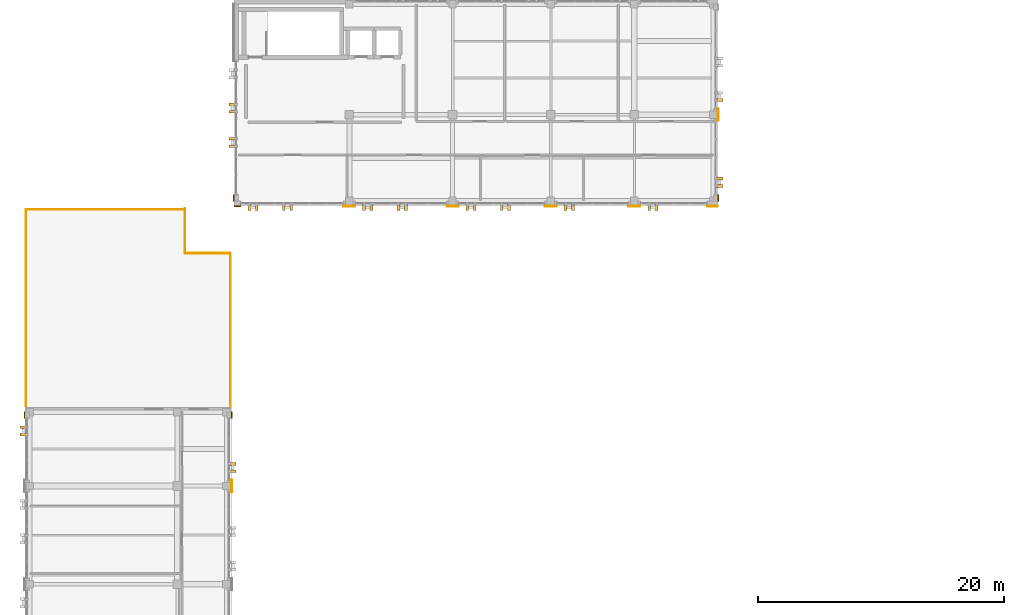
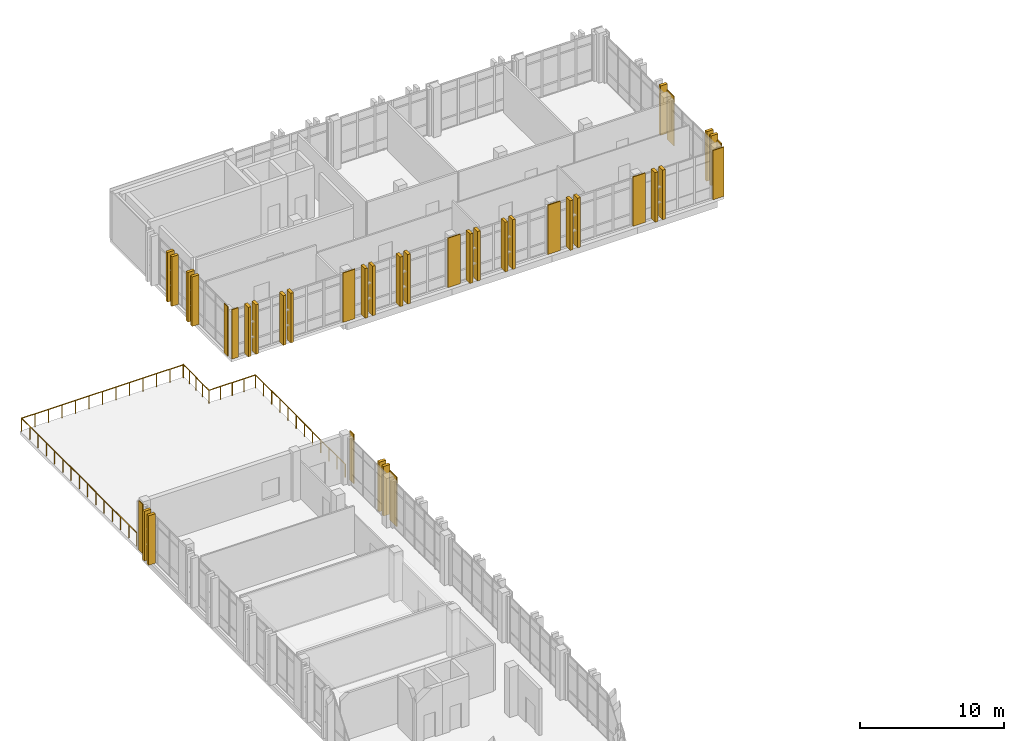
# One storey, part 70 of 77: 39 coverings, 5 railings.
"""IFC4 building model written with IfcOpenShell, lengths in metres."""

from ifc_helpers import new_model, si_unit, direction, frame, origin, origin_2d, place, context, subcontext, project, spatial, rectangle, circle, extrude, material, layer, layer_set, type_object, element, save


model = new_model("IFC4")

# Units and contexts
model_context = context("Model", 3, precision=1e-05, world=origin(), true_north=direction((0.0, 1.0)))
body_context = subcontext(model_context, "Body", "Model", "MODEL_VIEW")
ifc_project = project(units=[si_unit("LENGTHUNIT", "METRE"), si_unit("AREAUNIT", "SQUARE_METRE"), si_unit("VOLUMEUNIT", "CUBIC_METRE"), si_unit("PLANEANGLEUNIT", "RADIAN"), si_unit("MASSUNIT", "GRAM", prefix="KILO")], contexts=[model_context])

# Site, building, storey
site_placement = place(None, origin())
site = spatial("IfcSite", under=ifc_project, at=site_placement, CompositionType="ELEMENT")
building_placement = place(site_placement, origin())
building = spatial("IfcBuilding", under=site, at=building_placement, Name="Qalavern Law Courts", CompositionType="ELEMENT")
storey_placement = place(building_placement, frame((0.0, 0.0, 27.0)))
storey = spatial("IfcBuildingStorey", under=building, at=storey_placement, Name="L06", CompositionType="ELEMENT", Elevation=27.0)

# Railings
ifc_material_1 = material(Name="Steel S355", Category="steel")
railing_type = type_object("IfcRailingType", Name="ENV-BAL-1120", PredefinedType="BALUSTRADE", material=ifc_material_1)
railing_1_placement = place(storey_placement, frame((2.080078125, 79.89990234375, 0.0)))
element("IfcRailing", 1, at=railing_1_placement, inside=storey, type_object=railing_type, Name="V3 outdoor terrace safety guard L06-1", PredefinedType="BALUSTRADE", context=body_context, shape_type="SweptSolid", body=[
    extrude(circle(Radius=0.02392578125, at=origin_2d()), frame((0.0, 0.0, 1.09619140625), z_axis=(0.0, 1.0, 0.0), x_axis=(-1.0, 0.0, 0.0)), (0.0, 0.0, 1.0), 16.0),
    extrude(circle(Radius=0.02099609375, at=origin_2d()), origin(), (0.0, 0.0, 1.0), 1.072021484375),
    extrude(circle(Radius=0.02099609375, at=origin_2d()), frame((0.0, 1.142822265625, 0.0)), (0.0, 0.0, 1.0), 1.072021484375),
    extrude(circle(Radius=0.02099609375, at=origin_2d()), frame((0.0, 2.28564453125, 0.0)), (0.0, 0.0, 1.0), 1.072021484375),
    extrude(circle(Radius=0.02099609375, at=origin_2d()), frame((0.0, 3.428466796875, 0.0)), (0.0, 0.0, 1.0), 1.072021484375),
    extrude(circle(Radius=0.02099609375, at=origin_2d()), frame((0.0, 4.571533203125, 0.0)), (0.0, 0.0, 1.0), 1.072021484375),
    extrude(circle(Radius=0.02099609375, at=origin_2d()), frame((0.0, 5.71435546875, 0.0)), (0.0, 0.0, 1.0), 1.072021484375),
    extrude(circle(Radius=0.02099609375, at=origin_2d()), frame((0.0, 6.857177734375, 0.0)), (0.0, 0.0, 1.0), 1.072021484375),
    extrude(circle(Radius=0.02099609375, at=origin_2d()), frame((0.0, 8.0, 0.0)), (0.0, 0.0, 1.0), 1.072021484375),
    extrude(circle(Radius=0.02099609375, at=origin_2d()), frame((0.0, 9.142822265625, 0.0)), (0.0, 0.0, 1.0), 1.072021484375),
    extrude(circle(Radius=0.02099609375, at=origin_2d()), frame((0.0, 10.28564453125, 0.0)), (0.0, 0.0, 1.0), 1.072021484375),
    extrude(circle(Radius=0.02099609375, at=origin_2d()), frame((0.0, 11.428466796875, 0.0)), (0.0, 0.0, 1.0), 1.072021484375),
    extrude(circle(Radius=0.02099609375, at=origin_2d()), frame((0.0, 12.571533203125, 0.0)), (0.0, 0.0, 1.0), 1.072021484375),
    extrude(circle(Radius=0.02099609375, at=origin_2d()), frame((0.0, 13.71435546875, 0.0)), (0.0, 0.0, 1.0), 1.072021484375),
    extrude(circle(Radius=0.02099609375, at=origin_2d()), frame((0.0, 14.857177734375, 0.0)), (0.0, 0.0, 1.0), 1.072021484375),
    extrude(circle(Radius=0.02099609375, at=origin_2d()), frame((0.0, 16.0, 0.0)), (0.0, 0.0, 1.0), 1.072021484375),
])
railing_2_placement = place(storey_placement, frame((2.080078125, 95.89990234375, 0.0)))
element("IfcRailing", 2, at=railing_2_placement, inside=storey, type_object=railing_type, Name="V3 outdoor terrace safety guard L06-2", PredefinedType="BALUSTRADE", context=body_context, shape_type="SweptSolid", body=[
    extrude(circle(Radius=0.02392578125, at=origin_2d()), frame((0.0, 0.0, 1.09619140625), z_axis=(1.0, 0.0, 0.0), x_axis=(0.0, 1.0, 0.0)), (0.0, 0.0, 1.0), 12.93994140625),
    extrude(circle(Radius=0.02099609375, at=origin_2d()), origin(), (0.0, 0.0, 1.0), 1.072021484375),
    extrude(circle(Radius=0.02099609375, at=origin_2d()), frame((1.078369140625, 0.0, 0.0)), (0.0, 0.0, 1.0), 1.072021484375),
    extrude(circle(Radius=0.02099609375, at=origin_2d()), frame((2.15673828125, 0.0, 0.0)), (0.0, 0.0, 1.0), 1.072021484375),
    extrude(circle(Radius=0.02099609375, at=origin_2d()), frame((3.23486328125, 0.0, 0.0)), (0.0, 0.0, 1.0), 1.072021484375),
    extrude(circle(Radius=0.02099609375, at=origin_2d()), frame((4.313232421875, 0.0, 0.0)), (0.0, 0.0, 1.0), 1.072021484375),
    extrude(circle(Radius=0.02099609375, at=origin_2d()), frame((5.3916015625, 0.0, 0.0)), (0.0, 0.0, 1.0), 1.072021484375),
    extrude(circle(Radius=0.02099609375, at=origin_2d()), frame((6.469970703125, 0.0, 0.0)), (0.0, 0.0, 1.0), 1.072021484375),
    extrude(circle(Radius=0.02099609375, at=origin_2d()), frame((7.54833984375, 0.0, 0.0)), (0.0, 0.0, 1.0), 1.072021484375),
    extrude(circle(Radius=0.02099609375, at=origin_2d()), frame((8.626708984375, 0.0, 0.0)), (0.0, 0.0, 1.0), 1.072021484375),
    extrude(circle(Radius=0.02099609375, at=origin_2d()), frame((9.705078125, 0.0, 0.0)), (0.0, 0.0, 1.0), 1.072021484375),
    extrude(circle(Radius=0.02099609375, at=origin_2d()), frame((10.783203125, 0.0, 0.0)), (0.0, 0.0, 1.0), 1.072021484375),
    extrude(circle(Radius=0.02099609375, at=origin_2d()), frame((11.861572265625, 0.0, 0.0)), (0.0, 0.0, 1.0), 1.072021484375),
    extrude(circle(Radius=0.02099609375, at=origin_2d()), frame((12.93994140625, 0.0, 0.0)), (0.0, 0.0, 1.0), 1.072021484375),
])
railing_3_placement = place(storey_placement, frame((15.02001953125, 95.9599609375, 0.0)))
element("IfcRailing", 3, at=railing_3_placement, inside=storey, type_object=railing_type, Name="V3 outdoor terrace safety guard L06-3", PredefinedType="BALUSTRADE", context=body_context, shape_type="SweptSolid", body=[
    extrude(circle(Radius=0.02392578125, at=origin_2d()), frame((0.0, 0.0, 1.09619140625), z_axis=(0.0, -1.0, 0.0), x_axis=(1.0, 0.0, 0.0)), (0.0, 0.0, 1.0), 3.619873046875),
    extrude(circle(Radius=0.02099609375, at=origin_2d()), origin(), (0.0, 0.0, 1.0), 1.072021484375),
    extrude(circle(Radius=0.02099609375, at=origin_2d()), frame((0.0, -0.905029296875, 0.0)), (0.0, 0.0, 1.0), 1.072021484375),
    extrude(circle(Radius=0.02099609375, at=origin_2d()), frame((0.0, -1.81005859375, 0.0)), (0.0, 0.0, 1.0), 1.072021484375),
    extrude(circle(Radius=0.02099609375, at=origin_2d()), frame((0.0, -2.71484375, 0.0)), (0.0, 0.0, 1.0), 1.072021484375),
    extrude(circle(Radius=0.02099609375, at=origin_2d()), frame((0.0, -3.619873046875, 0.0)), (0.0, 0.0, 1.0), 1.072021484375),
])
railing_4_placement = place(storey_placement, frame((15.02001953125, 92.340087890625, 0.0)))
element("IfcRailing", 4, at=railing_4_placement, inside=storey, type_object=railing_type, Name="V3 outdoor terrace safety guard L06-4", PredefinedType="BALUSTRADE", context=body_context, shape_type="SweptSolid", body=[
    extrude(circle(Radius=0.02392578125, at=origin_2d()), frame((0.0, 0.0, 1.09619140625), z_axis=(1.0, 0.0, 0.0), x_axis=(0.0, 1.0, 0.0)), (0.0, 0.0, 1.0), 3.699951171875),
    extrude(circle(Radius=0.02099609375, at=origin_2d()), origin(), (0.0, 0.0, 1.0), 1.072021484375),
    extrude(circle(Radius=0.02099609375, at=origin_2d()), frame((0.925048828125, 0.0, 0.0)), (0.0, 0.0, 1.0), 1.072021484375),
    extrude(circle(Radius=0.02099609375, at=origin_2d()), frame((1.85009765625, 0.0, 0.0)), (0.0, 0.0, 1.0), 1.072021484375),
    extrude(circle(Radius=0.02099609375, at=origin_2d()), frame((2.77490234375, 0.0, 0.0)), (0.0, 0.0, 1.0), 1.072021484375),
    extrude(circle(Radius=0.02099609375, at=origin_2d()), frame((3.699951171875, 0.0, 0.0)), (0.0, 0.0, 1.0), 1.072021484375),
])
railing_5_placement = place(storey_placement, frame((18.719970703125, 92.340087890625, 0.0)))
element("IfcRailing", 5, at=railing_5_placement, inside=storey, type_object=railing_type, Name="V3 outdoor terrace safety guard L06-5", PredefinedType="BALUSTRADE", context=body_context, shape_type="SweptSolid", body=[
    extrude(circle(Radius=0.02392578125, at=origin_2d()), frame((0.0, 0.0, 1.09619140625), z_axis=(0.0, -1.0, 0.0), x_axis=(1.0, 0.0, 0.0)), (0.0, 0.0, 1.0), 12.440185546875),
    extrude(circle(Radius=0.02099609375, at=origin_2d()), origin(), (0.0, 0.0, 1.0), 1.072021484375),
    extrude(circle(Radius=0.02099609375, at=origin_2d()), frame((0.0, -1.130859375, 0.0)), (0.0, 0.0, 1.0), 1.072021484375),
    extrude(circle(Radius=0.02099609375, at=origin_2d()), frame((0.0, -2.261962890625, 0.0)), (0.0, 0.0, 1.0), 1.072021484375),
    extrude(circle(Radius=0.02099609375, at=origin_2d()), frame((0.0, -3.392822265625, 0.0)), (0.0, 0.0, 1.0), 1.072021484375),
    extrude(circle(Radius=0.02099609375, at=origin_2d()), frame((0.0, -4.523681640625, 0.0)), (0.0, 0.0, 1.0), 1.072021484375),
    extrude(circle(Radius=0.02099609375, at=origin_2d()), frame((0.0, -5.654541015625, 0.0)), (0.0, 0.0, 1.0), 1.072021484375),
    extrude(circle(Radius=0.02099609375, at=origin_2d()), frame((0.0, -6.78564453125, 0.0)), (0.0, 0.0, 1.0), 1.072021484375),
    extrude(circle(Radius=0.02099609375, at=origin_2d()), frame((0.0, -7.91650390625, 0.0)), (0.0, 0.0, 1.0), 1.072021484375),
    extrude(circle(Radius=0.02099609375, at=origin_2d()), frame((0.0, -9.04736328125, 0.0)), (0.0, 0.0, 1.0), 1.072021484375),
    extrude(circle(Radius=0.02099609375, at=origin_2d()), frame((0.0, -10.17822265625, 0.0)), (0.0, 0.0, 1.0), 1.072021484375),
    extrude(circle(Radius=0.02099609375, at=origin_2d()), frame((0.0, -11.309326171875, 0.0)), (0.0, 0.0, 1.0), 1.072021484375),
    extrude(circle(Radius=0.02099609375, at=origin_2d()), frame((0.0, -12.440185546875, 0.0)), (0.0, 0.0, 1.0), 1.072021484375),
])

# Coverings
ifc_material_2 = material(Name="Precast concrete C40/50", Category="concrete")
ifc_layer_1 = layer(ifc_material_2, 0.22998046875)
ifc_layer_set_1 = layer_set([ifc_layer_1], Name="Precast concrete C40/50")
covering_type_1 = type_object("IfcCoveringType", Name="ENV-BLD-2", PredefinedType="CLADDING", material=ifc_layer_set_1)
for number, where, z_axis, x_axis, name in (
    (6, (18.925048828125, 74.60009765625, 0.005126953125), (0.0, 0.0, 1.0), (1.0, 0.0, 0.0), "Absheron stone facade blade 0479"),
    (7, (18.925048828125, 75.199951171875, 0.005126953125), (0.0, 0.0, 1.0), (1.0, 0.0, 0.0), "Absheron stone facade blade 0480"),
    (8, (1.875, 78.18505859375, 0.005126953125), (0.0, 0.0, 1.0), (-1.0, 0.0, 0.0), "Absheron stone facade blade 0481"),
    (9, (1.875, 77.5849609375, 0.005126953125), (0.0, 0.0, 1.0), (-1.0, 0.0, 0.0), "Absheron stone facade blade 0482"),
    (10, (20.27001953125, 96.074951171875, 0.005126953125), (0.0, 0.0, 1.0), (0.0, -1.0, 0.0), "Absheron stone facade blade 1155"),
    (11, (20.8701171875, 96.074951171875, 0.005126953125), (0.0, 0.0, 1.0), (0.0, -1.0, 0.0), "Absheron stone facade blade 1156"),
    (12, (23.070068359375, 96.074951171875, 0.005126953125), (0.0, 0.0, 1.0), (0.0, -1.0, 0.0), "Absheron stone facade blade 1157"),
    (13, (23.669921875, 96.074951171875, 0.005126953125), (0.0, 0.0, 1.0), (0.0, -1.0, 0.0), "Absheron stone facade blade 1158"),
    (14, (29.60009765625, 96.074951171875, 0.005126953125), (0.0, 0.0, 1.0), (0.0, -1.0, 0.0), "Absheron stone facade blade 1159"),
    (15, (30.199951171875, 96.074951171875, 0.005126953125), (0.0, 0.0, 1.0), (0.0, -1.0, 0.0), "Absheron stone facade blade 1160"),
    (16, (32.39990234375, 96.074951171875, 0.005126953125), (0.0, 0.0, 1.0), (0.0, -1.0, 0.0), "Absheron stone facade blade 1161"),
    (17, (33.0, 96.074951171875, 0.005126953125), (0.0, 0.0, 1.0), (0.0, -1.0, 0.0), "Absheron stone facade blade 1162"),
    (18, (38.0, 96.074951171875, 0.005126953125), (0.0, 0.0, 1.0), (0.0, -1.0, 0.0), "Absheron stone facade blade 1163"),
    (19, (38.60009765625, 96.074951171875, 0.005126953125), (0.0, 0.0, 1.0), (0.0, -1.0, 0.0), "Absheron stone facade blade 1164"),
    (20, (40.800048828125, 96.074951171875, 0.005126953125), (0.0, 0.0, 1.0), (0.0, -1.0, 0.0), "Absheron stone facade blade 1165"),
    (21, (41.39990234375, 96.074951171875, 0.005126953125), (0.0, 0.0, 1.0), (0.0, -1.0, 0.0), "Absheron stone facade blade 1166"),
    (22, (46.0, 96.074951171875, 0.005126953125), (0.0, 0.0, 1.0), (0.0, -1.0, 0.0), "Absheron stone facade blade 1167"),
    (23, (46.60009765625, 96.074951171875, 0.005126953125), (0.0, 0.0, 1.0), (0.0, -1.0, 0.0), "Absheron stone facade blade 1168"),
    (24, (52.800048828125, 96.074951171875, 0.005126953125), (0.0, 0.0, 1.0), (0.0, -1.0, 0.0), "Absheron stone facade blade 1169"),
    (25, (53.39990234375, 96.074951171875, 0.005126953125), (0.0, 0.0, 1.0), (0.0, -1.0, 0.0), "Absheron stone facade blade 1170"),
    (26, (58.52490234375, 97.81494140625, 0.005126953125), (0.0, 0.0, 1.0), (1.0, 0.0, 0.0), "Absheron stone facade blade 1171"),
    (27, (58.52490234375, 98.4150390625, 0.005126953125), (0.0, 0.0, 1.0), (1.0, 0.0, 0.0), "Absheron stone facade blade 1172"),
    (28, (58.52490234375, 104.800048828125, 0.005126953125), (0.0, 0.0, 1.0), (1.0, 0.0, 0.0), "Absheron stone facade blade 1173"),
    (29, (18.89501953125, 104.449951171875, 0.005126953125), (0.0, 0.0, 1.0), (-1.0, 0.0, 0.0), "Absheron stone facade blade 1191"),
    (30, (18.89501953125, 103.85009765625, 0.005126953125), (0.0, 0.0, 1.0), (-1.0, 0.0, 0.0), "Absheron stone facade blade 1192"),
    (31, (18.89501953125, 101.64990234375, 0.005126953125), (0.0, 0.0, 1.0), (-1.0, 0.0, 0.0), "Absheron stone facade blade 1193"),
    (32, (18.89501953125, 101.050048828125, 0.005126953125), (0.0, 0.0, 1.0), (-1.0, 0.0, 0.0), "Absheron stone facade blade 1194"),
):
    element("IfcCovering", number, at=place(storey_placement, frame(where, z_axis=z_axis, x_axis=x_axis)), inside=storey, type_object=covering_type_1, Name=name, PredefinedType="CLADDING", context=body_context, shape_type="SweptSolid", body=[
        extrude(rectangle(XDim=0.5400390625, YDim=0.22998046875, at=origin_2d()), origin(), (0.0, 0.0, 1.0), 4.18994140625),
    ])
ifc_layer_2 = layer(ifc_material_2, 0.072021484375)
ifc_layer_set_2 = layer_set([ifc_layer_2], Name="Precast concrete C40/50")
covering_type_2 = type_object("IfcCoveringType", Name="ENV-CLD-2", PredefinedType="CLADDING", material=ifc_layer_set_2)
covering_1_placement = place(storey_placement, frame((18.8330078125, 73.39990234375, 0.01025390625), z_axis=(0.0, 0.0, 1.0), x_axis=(0.0, 1.0, 0.0)))
element("IfcCovering", 33, at=covering_1_placement, inside=storey, type_object=covering_type_2, Name="V3 Absheron limestone pier facing L06 east 5", PredefinedType="CLADDING", context=body_context, shape_type="SweptSolid", body=[
    extrude(rectangle(XDim=0.97998046875, YDim=0.072021484375, at=origin_2d()), origin(), (0.0, 0.0, 1.0), 4.179931640625),
])
for number, where, z_axis, x_axis, name in (
    (34, (18.8330078125, 79.159912109375, 0.01025390625), (0.0, 0.0, 1.0), (0.0, 1.0, 0.0), "V3 Absheron limestone pier facing L06 east 6"),
    (35, (1.967041015625, 79.159912109375, 0.01025390625), (0.0, 0.0, 1.0), (0.0, -1.0, 0.0), "V3 Absheron limestone pier facing L06 west 1"),
    (36, (19.294921875, 96.1669921875, 0.01025390625), (0.0, 0.0, 1.0), (1.0, 0.0, 0.0), "V5 Absheron limestone pier facing L06 south 1"),
):
    element("IfcCovering", number, at=place(storey_placement, frame(where, z_axis=z_axis, x_axis=x_axis)), inside=storey, type_object=covering_type_2, Name=name, PredefinedType="CLADDING", context=body_context, shape_type="SweptSolid", body=[
        extrude(rectangle(XDim=0.530029296875, YDim=0.072021484375, at=origin_2d()), origin(), (0.0, 0.0, 1.0), 4.179931640625),
    ])
for number, where, z_axis, x_axis, name in (
    (37, (28.39990234375, 96.1669921875, 0.01025390625), (0.0, 0.0, 1.0), (1.0, 0.0, 0.0), "V5 Absheron limestone pier facing L06 south 2"),
    (38, (36.800048828125, 96.1669921875, 0.01025390625), (0.0, 0.0, 1.0), (1.0, 0.0, 0.0), "V5 Absheron limestone pier facing L06 south 3"),
    (39, (44.800048828125, 96.1669921875, 0.01025390625), (0.0, 0.0, 1.0), (1.0, 0.0, 0.0), "V5 Absheron limestone pier facing L06 south 4"),
    (40, (51.60009765625, 96.1669921875, 0.01025390625), (0.0, 0.0, 1.0), (1.0, 0.0, 0.0), "V5 Absheron limestone pier facing L06 south 5"),
):
    element("IfcCovering", number, at=place(storey_placement, frame(where, z_axis=z_axis, x_axis=x_axis)), inside=storey, type_object=covering_type_2, Name=name, PredefinedType="CLADDING", context=body_context, shape_type="SweptSolid", body=[
        extrude(rectangle(XDim=0.97998046875, YDim=0.072021484375, at=origin_2d()), origin(), (0.0, 0.0, 1.0), 4.179931640625),
    ])
covering_2_placement = place(storey_placement, frame((57.949951171875, 96.1669921875, 0.01025390625), z_axis=(0.0, 0.0, 1.0), x_axis=(1.0, 0.0, 0.0)))
element("IfcCovering", 41, at=covering_2_placement, inside=storey, type_object=covering_type_2, Name="V5 Absheron limestone pier facing L06 south 6", PredefinedType="CLADDING", context=body_context, shape_type="SweptSolid", body=[
    extrude(rectangle(XDim=0.8798828125, YDim=0.072021484375, at=origin_2d()), origin(), (0.0, 0.0, 1.0), 4.179931640625),
])
covering_3_placement = place(storey_placement, frame((58.43310546875, 96.840087890625, 0.01025390625), z_axis=(0.0, 0.0, 1.0), x_axis=(0.0, 1.0, 0.0)))
element("IfcCovering", 42, at=covering_3_placement, inside=storey, type_object=covering_type_2, Name="V5 Absheron limestone pier facing L06 east 1", PredefinedType="CLADDING", context=body_context, shape_type="SweptSolid", body=[
    extrude(rectangle(XDim=0.530029296875, YDim=0.072021484375, at=origin_2d()), origin(), (0.0, 0.0, 1.0), 4.179931640625),
])
covering_4_placement = place(storey_placement, frame((58.43310546875, 103.60009765625, 0.01025390625), z_axis=(0.0, 0.0, 1.0), x_axis=(0.0, 1.0, 0.0)))
element("IfcCovering", 43, at=covering_4_placement, inside=storey, type_object=covering_type_2, Name="V5 Absheron limestone pier facing L06 east 2", PredefinedType="CLADDING", context=body_context, shape_type="SweptSolid", body=[
    extrude(rectangle(XDim=0.97998046875, YDim=0.072021484375, at=origin_2d()), origin(), (0.0, 0.0, 1.0), 4.179931640625),
])
covering_5_placement = place(storey_placement, frame((18.987060546875, 96.840087890625, 0.01025390625), z_axis=(0.0, 0.0, 1.0), x_axis=(0.0, -1.0, 0.0)))
element("IfcCovering", 44, at=covering_5_placement, inside=storey, type_object=covering_type_2, Name="V5 Absheron limestone pier facing L06 west 2", PredefinedType="CLADDING", context=body_context, shape_type="SweptSolid", body=[
    extrude(rectangle(XDim=0.530029296875, YDim=0.072021484375, at=origin_2d()), origin(), (0.0, 0.0, 1.0), 4.179931640625),
])

save(model, "model.ifc")
